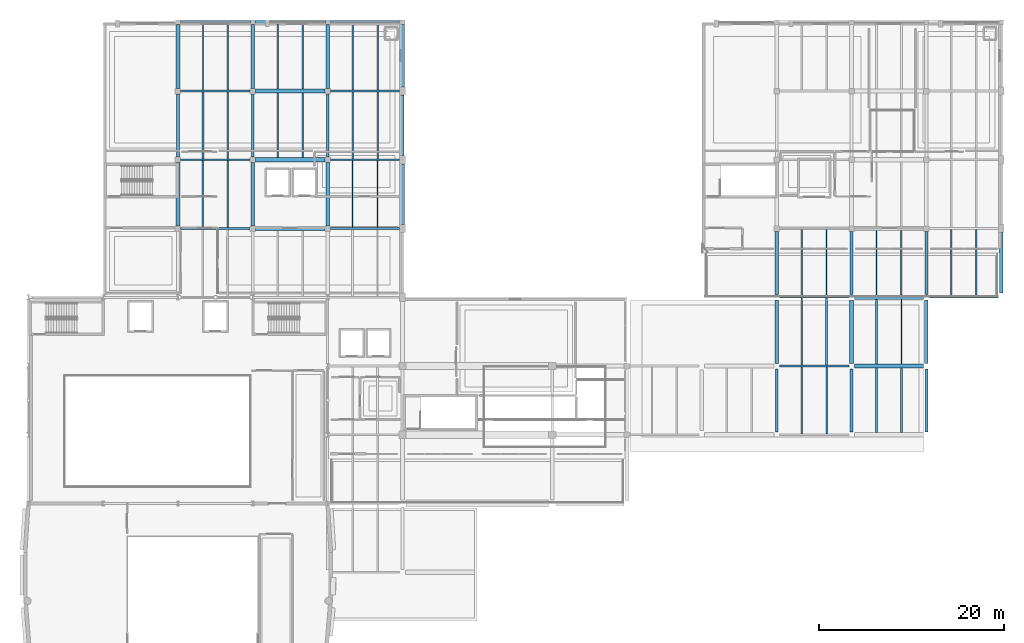
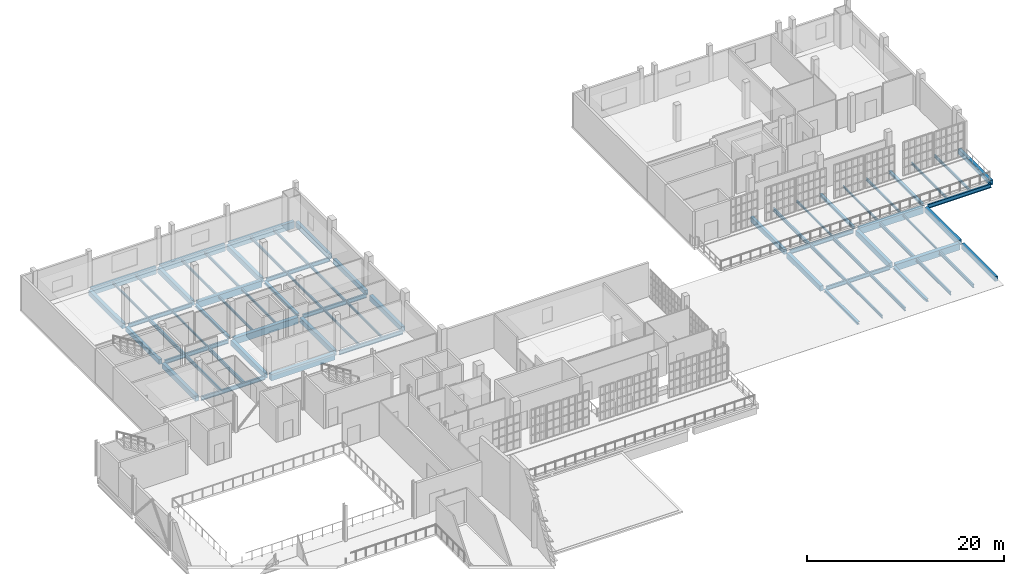
# One storey, part 19 of 56: 69 beams.
"""IFC4 building model written with IfcOpenShell, lengths in metres."""

from ifc_helpers import new_model, si_unit, direction, frame, origin, origin_2d, place, context, subcontext, project, spatial, rectangle, i_section, extrude, material, material_profile, profile_set, type_object, element, save


model = new_model("IFC4")

# Units and contexts
model_context = context("Model", 3, precision=1e-05, world=origin(), true_north=direction((0.0, 1.0)))
body_context = subcontext(model_context, "Body", "Model", "MODEL_VIEW")
ifc_project = project(units=[si_unit("LENGTHUNIT", "METRE"), si_unit("AREAUNIT", "SQUARE_METRE"), si_unit("VOLUMEUNIT", "CUBIC_METRE"), si_unit("PLANEANGLEUNIT", "RADIAN"), si_unit("MASSUNIT", "GRAM", prefix="KILO")], contexts=[model_context])

# Site, building, storey
site_placement = place(None, origin())
site = spatial("IfcSite", under=ifc_project, at=site_placement, CompositionType="ELEMENT")
building_placement = place(site_placement, origin())
building = spatial("IfcBuilding", under=site, at=building_placement, Name="Kaelora Sail Theatre", CompositionType="ELEMENT")
storey_placement = place(building_placement, frame((0.0, 0.0, 14.699951171875)))
storey = spatial("IfcBuildingStorey", under=building, at=storey_placement, Name="L03", CompositionType="ELEMENT", Elevation=14.699951171875)

# Beams
ifc_material_1 = material(Name="Steel S355", Category="steel")
ifc_material_profile_1 = material_profile(ifc_material_1, i_section(OverallWidth=0.300048828125, OverallDepth=0.31005859375, WebThickness=0.009033203125, FlangeThickness=0.015380859375, FilletRadius=0.027099609375, at=origin_2d()), Name="HEA 320")
ifc_profile_set_1 = profile_set([ifc_material_profile_1], Name="Steel S355")
beam_type_1 = type_object("IfcBeamType", Name="STR-BM-BM-HEA320", PredefinedType="BEAM", material=ifc_profile_set_1)
for number, where, z_axis, x_axis, name in (
    (1, (50.10009765625, 98.52001953125, -0.429931640625), (0.0, 1.0, 0.0), (-1.0, 0.0, 0.0), "Primary beam 7 N-O (L03)"),
    (2, (58.199951171875, 98.52001953125, -0.429931640625), (0.0, 1.0, 0.0), (-1.0, 0.0, 0.0), "Primary beam 8 N-O (L03)"),
    (3, (106.800048828125, 68.760009765625, -0.429931640625), (0.0, 1.0, 0.0), (-1.0, 0.0, 0.0), "Primary beam 14 J-K (L03)"),
    (4, (114.89990234375, 68.760009765625, -0.429931640625), (0.0, 1.0, 0.0), (-1.0, 0.0, 0.0), "Primary beam 15 J-K (L03)"),
    (5, (114.89990234375, 83.639892578125, -0.429931640625), (0.0, 1.0, 0.0), (-1.0, 0.0, 0.0), "Primary beam 15 L-M (L03)"),
    (6, (123.0, 83.639892578125, -0.429931640625), (0.0, 1.0, 0.0), (-1.0, 0.0, 0.0), "Primary beam 16 L-M (L03)"),
):
    element("IfcBeam", number, at=place(storey_placement, frame(where, z_axis=z_axis, x_axis=x_axis)), inside=storey, type_object=beam_type_1, Name=name, PredefinedType="BEAM", context=body_context, shape_type="SweptSolid", body=[
        extrude(i_section(OverallWidth=0.300048828125, OverallDepth=0.31005859375, WebThickness=0.009033203125, FlangeThickness=0.015380859375, FilletRadius=0.027099609375, at=origin_2d()), origin(), (0.0, 0.0, 1.0), 6.840087890625),
    ])
ifc_material_2 = material(Name="Steel S355", Category="steel")
ifc_material_profile_2 = material_profile(ifc_material_2, i_section(OverallWidth=0.18994140625, OverallDepth=0.449951171875, WebThickness=0.009521484375, FlangeThickness=0.0146484375, FilletRadius=0.02099609375, at=origin_2d()), Name="IPE 450")
ifc_profile_set_2 = profile_set([ifc_material_profile_2], Name="Steel S355")
beam_type_2 = type_object("IfcBeamType", Name="STR-BM-BM-IPE450", PredefinedType="BEAM", material=ifc_profile_set_2)
beam_1_placement = place(storey_placement, frame((47.39990234375, 90.8798828125, -0.5), z_axis=(0.0, 1.0, 0.0), x_axis=(-1.0, 0.0, 0.0)))
element("IfcBeam", 7, at=beam_1_placement, inside=storey, type_object=beam_type_2, Name="Secondary floor joist 6/M-2 (L03)", PredefinedType="BEAM", context=body_context, shape_type="SweptSolid", body=[
    extrude(i_section(OverallWidth=0.18994140625, OverallDepth=0.449951171875, WebThickness=0.009521484375, FlangeThickness=0.0146484375, FilletRadius=0.02099609375, at=origin_2d()), origin(), (0.0, 0.0, 1.0), 7.240234375),
])
for number, where, z_axis, x_axis, name in (
    (8, (44.699951171875, 98.320068359375, -0.5), (0.0, 1.0, 0.0), (-1.0, 0.0, 0.0), "Secondary floor joist 6/N-1 (L03)"),
    (9, (112.199951171875, 76.0, -0.5), (0.0, 1.0, 0.0), (-1.0, 0.0, 0.0), "Secondary floor joist 14/K-2 (L03)"),
    (10, (109.5, 83.43994140625, -0.5), (0.0, 1.0, 0.0), (-1.0, 0.0, 0.0), "Secondary floor joist 14/L-1 (L03)"),
):
    element("IfcBeam", number, at=place(storey_placement, frame(where, z_axis=z_axis, x_axis=x_axis)), inside=storey, type_object=beam_type_2, Name=name, PredefinedType="BEAM", context=body_context, shape_type="SweptSolid", body=[
        extrude(i_section(OverallWidth=0.18994140625, OverallDepth=0.449951171875, WebThickness=0.009521484375, FlangeThickness=0.0146484375, FilletRadius=0.02099609375, at=origin_2d()), origin(), (0.0, 0.0, 1.0), 7.239990234375),
    ])
for number, where, z_axis, x_axis, name in (
    (11, (120.300048828125, 68.68505859375, -0.5), (0.0, 1.0, 0.0), (-1.0, 0.0, 0.0), "Secondary floor joist 15/J-2 (L03)"),
    (12, (117.60009765625, 76.125, -0.5), (0.0, 1.0, 0.0), (-1.0, 0.0, 0.0), "Secondary floor joist 15/K-1 (L03)"),
):
    element("IfcBeam", number, at=place(storey_placement, frame(where, z_axis=z_axis, x_axis=x_axis)), inside=storey, type_object=beam_type_2, Name=name, PredefinedType="BEAM", context=body_context, shape_type="SweptSolid", body=[
        extrude(i_section(OverallWidth=0.18994140625, OverallDepth=0.449951171875, WebThickness=0.009521484375, FlangeThickness=0.0146484375, FilletRadius=0.02099609375, at=origin_2d()), origin(), (0.0, 0.0, 1.0), 6.989990234375),
    ])
ifc_material_3 = material(Name="Steel S355", Category="steel")
ifc_material_profile_3 = material_profile(ifc_material_3, i_section(OverallWidth=0.199951171875, OverallDepth=0.5, WebThickness=0.01025390625, FlangeThickness=0.01611328125, FilletRadius=0.02099609375, at=origin_2d()), Name="IPE 500")
ifc_profile_set_3 = profile_set([ifc_material_profile_3], Name="Steel S355")
beam_type_3 = type_object("IfcBeamType", Name="STR-BM-BM-IPE500", PredefinedType="BEAM", material=ifc_profile_set_3)
for number, where, z_axis, x_axis, name in (
    (13, (42.300048828125, 90.780029296875, -0.52490234375), (1.0, 0.0, 0.0), (0.0, 1.0, 0.0), "Primary beam M 6-7 (L03)"),
    (14, (42.300048828125, 98.219970703125, -0.52490234375), (1.0, 0.0, 0.0), (0.0, 1.0, 0.0), "Primary beam N 6-7 (L03)"),
    (15, (42.300048828125, 105.659912109375, -0.52490234375), (1.0, 0.0, 0.0), (0.0, 1.0, 0.0), "Primary beam O 6-7 (L03)"),
    (16, (58.5, 90.780029296875, -0.52490234375), (1.0, 0.0, 0.0), (0.0, 1.0, 0.0), "Primary beam M 8-9 (L03)"),
    (17, (58.5, 98.219970703125, -0.52490234375), (1.0, 0.0, 0.0), (0.0, 1.0, 0.0), "Primary beam N 8-9 (L03)"),
    (18, (58.5, 105.659912109375, -0.52490234375), (1.0, 0.0, 0.0), (0.0, 1.0, 0.0), "Primary beam O 8-9 (L03)"),
    (19, (107.10009765625, 75.89990234375, -0.52490234375), (1.0, 0.0, 0.0), (0.0, 1.0, 0.0), "Primary beam K 14-15 (L03)"),
    (20, (107.10009765625, 83.340087890625, -0.52490234375), (1.0, 0.0, 0.0), (0.0, 1.0, 0.0), "Primary beam L 14-15 (L03)"),
    (21, (123.300048828125, 83.340087890625, -0.52490234375), (1.0, 0.0, 0.0), (0.0, 1.0, 0.0), "Primary beam L 16-17 (L03)"),
):
    element("IfcBeam", number, at=place(storey_placement, frame(where, z_axis=z_axis, x_axis=x_axis)), inside=storey, type_object=beam_type_3, Name=name, PredefinedType="BEAM", context=body_context, shape_type="SweptSolid", body=[
        extrude(i_section(OverallWidth=0.199951171875, OverallDepth=0.5, WebThickness=0.01025390625, FlangeThickness=0.01611328125, FilletRadius=0.02099609375, at=origin_2d()), origin(), (0.0, 0.0, 1.0), 7.5),
    ])
ifc_material_4 = material(Name="Concrete C40/50", Category="concrete")
ifc_material_profile_4 = material_profile(ifc_material_4, rectangle(XDim=0.35009765625, YDim=0.60009765625, at=origin_2d()), Name="RC-BM 350x600")
ifc_profile_set_4 = profile_set([ifc_material_profile_4], Name="Concrete C40/50")
beam_type_4 = type_object("IfcBeamType", Name="STR-BM-BM-RC3560", PredefinedType="BEAM", material=ifc_profile_set_4)
beam_2_placement = place(storey_placement, frame((42.0, 98.52001953125, -0.574951171875), z_axis=(0.0, 1.0, 0.0), x_axis=(-1.0, 0.0, 0.0)))
element("IfcBeam", 22, at=beam_2_placement, inside=storey, type_object=beam_type_4, Name="Primary beam 6 N-O (L03)", PredefinedType="BEAM", context=body_context, shape_type="SweptSolid", body=[
    extrude(rectangle(XDim=0.35009765625, YDim=0.60009765625, at=origin_2d()), origin(), (0.0, 0.0, 1.0), 6.840087890625),
])
beam_3_placement = place(storey_placement, frame((66.300048828125, 98.669921875, -0.574951171875), z_axis=(0.0, 1.0, 0.0), x_axis=(-1.0, 0.0, 0.0)))
element("IfcBeam", 23, at=beam_3_placement, inside=storey, type_object=beam_type_4, Name="Primary beam 9 N-O (L03)", PredefinedType="BEAM", context=body_context, shape_type="SweptSolid", body=[
    extrude(rectangle(XDim=0.35009765625, YDim=0.60009765625, at=origin_2d()), origin(), (0.0, 0.0, 1.0), 6.5400390625),
])
for number, where, z_axis, x_axis, name in (
    (24, (106.800048828125, 83.639892578125, -0.574951171875), (0.0, 1.0, 0.0), (-1.0, 0.0, 0.0), "Primary beam 14 L-M (L03)"),
    (25, (123.0, 68.760009765625, -0.574951171875), (0.0, 1.0, 0.0), (-1.0, 0.0, 0.0), "Primary beam 16 J-K (L03)"),
):
    element("IfcBeam", number, at=place(storey_placement, frame(where, z_axis=z_axis, x_axis=x_axis)), inside=storey, type_object=beam_type_4, Name=name, PredefinedType="BEAM", context=body_context, shape_type="SweptSolid", body=[
        extrude(rectangle(XDim=0.35009765625, YDim=0.60009765625, at=origin_2d()), origin(), (0.0, 0.0, 1.0), 6.840087890625),
    ])
beam_4_placement = place(storey_placement, frame((131.10009765625, 83.7900390625, -0.574951171875), z_axis=(0.0, 1.0, 0.0), x_axis=(-1.0, 0.0, 0.0)))
element("IfcBeam", 26, at=beam_4_placement, inside=storey, type_object=beam_type_4, Name="Primary beam 17 L-M (L03)", PredefinedType="BEAM", context=body_context, shape_type="SweptSolid", body=[
    extrude(rectangle(XDim=0.35009765625, YDim=0.60009765625, at=origin_2d()), origin(), (0.0, 0.0, 1.0), 6.5400390625),
])
ifc_material_5 = material(Name="Concrete C40/50", Category="concrete")
ifc_material_profile_5 = material_profile(ifc_material_5, rectangle(XDim=0.39990234375, YDim=0.64990234375, at=origin_2d()), Name="RC-BM 400x650")
ifc_profile_set_5 = profile_set([ifc_material_profile_5], Name="Concrete C40/50")
beam_type_5 = type_object("IfcBeamType", Name="STR-BM-BM-RC4065", PredefinedType="BEAM", material=ifc_profile_set_5)
beam_5_placement = place(storey_placement, frame((42.0, 91.080078125, -0.599853515625), z_axis=(0.0, 1.0, 0.0), x_axis=(-1.0, 0.0, 0.0)))
element("IfcBeam", 27, at=beam_5_placement, inside=storey, type_object=beam_type_5, Name="Primary beam 6 M-N (L03)", PredefinedType="BEAM", context=body_context, shape_type="SweptSolid", body=[
    extrude(rectangle(XDim=0.39990234375, YDim=0.64990234375, at=origin_2d()), origin(), (0.0, 0.0, 1.0), 6.83984375),
])
beam_6_placement = place(storey_placement, frame((42.0, 105.9599609375, -0.599853515625), z_axis=(0.0, 1.0, 0.0), x_axis=(-1.0, 0.0, 0.0)))
element("IfcBeam", 28, at=beam_6_placement, inside=storey, type_object=beam_type_5, Name="Primary beam 6 O-P (L03)", PredefinedType="BEAM", context=body_context, shape_type="SweptSolid", body=[
    extrude(rectangle(XDim=0.39990234375, YDim=0.64990234375, at=origin_2d()), origin(), (0.0, 0.0, 1.0), 6.89013671875),
])
beam_7_placement = place(storey_placement, frame((50.10009765625, 91.080078125, -0.599853515625), z_axis=(0.0, 1.0, 0.0), x_axis=(-1.0, 0.0, 0.0)))
element("IfcBeam", 29, at=beam_7_placement, inside=storey, type_object=beam_type_5, Name="Primary beam 7 M-N (L03)", PredefinedType="BEAM", context=body_context, shape_type="SweptSolid", body=[
    extrude(rectangle(XDim=0.39990234375, YDim=0.64990234375, at=origin_2d()), origin(), (0.0, 0.0, 1.0), 6.83984375),
])
beam_8_placement = place(storey_placement, frame((50.10009765625, 105.9599609375, -0.599853515625), z_axis=(0.0, 1.0, 0.0), x_axis=(-1.0, 0.0, 0.0)))
element("IfcBeam", 30, at=beam_8_placement, inside=storey, type_object=beam_type_5, Name="Primary beam 7 O-P (L03)", PredefinedType="BEAM", context=body_context, shape_type="SweptSolid", body=[
    extrude(rectangle(XDim=0.39990234375, YDim=0.64990234375, at=origin_2d()), origin(), (0.0, 0.0, 1.0), 6.89013671875),
])
beam_9_placement = place(storey_placement, frame((58.199951171875, 91.080078125, -0.599853515625), z_axis=(0.0, 1.0, 0.0), x_axis=(-1.0, 0.0, 0.0)))
element("IfcBeam", 31, at=beam_9_placement, inside=storey, type_object=beam_type_5, Name="Primary beam 8 M-N (L03)", PredefinedType="BEAM", context=body_context, shape_type="SweptSolid", body=[
    extrude(rectangle(XDim=0.39990234375, YDim=0.64990234375, at=origin_2d()), origin(), (0.0, 0.0, 1.0), 6.83984375),
])
beam_10_placement = place(storey_placement, frame((58.199951171875, 105.9599609375, -0.599853515625), z_axis=(0.0, 1.0, 0.0), x_axis=(-1.0, 0.0, 0.0)))
element("IfcBeam", 32, at=beam_10_placement, inside=storey, type_object=beam_type_5, Name="Primary beam 8 O-P (L03)", PredefinedType="BEAM", context=body_context, shape_type="SweptSolid", body=[
    extrude(rectangle(XDim=0.39990234375, YDim=0.64990234375, at=origin_2d()), origin(), (0.0, 0.0, 1.0), 6.89013671875),
])
beam_11_placement = place(storey_placement, frame((66.300048828125, 91.22998046875, -0.599853515625), z_axis=(0.0, 1.0, 0.0), x_axis=(-1.0, 0.0, 0.0)))
element("IfcBeam", 33, at=beam_11_placement, inside=storey, type_object=beam_type_5, Name="Primary beam 9 M-N (L03)", PredefinedType="BEAM", context=body_context, shape_type="SweptSolid", body=[
    extrude(rectangle(XDim=0.39990234375, YDim=0.64990234375, at=origin_2d()), origin(), (0.0, 0.0, 1.0), 6.5400390625),
])
beam_12_placement = place(storey_placement, frame((66.300048828125, 106.110107421875, -0.599853515625), z_axis=(0.0, 1.0, 0.0), x_axis=(-1.0, 0.0, 0.0)))
element("IfcBeam", 34, at=beam_12_placement, inside=storey, type_object=beam_type_5, Name="Primary beam 9 O-P (L03)", PredefinedType="BEAM", context=body_context, shape_type="SweptSolid", body=[
    extrude(rectangle(XDim=0.39990234375, YDim=0.64990234375, at=origin_2d()), origin(), (0.0, 0.0, 1.0), 6.739990234375),
])
for number, where, z_axis, x_axis, name in (
    (35, (106.800048828125, 76.199951171875, -0.599853515625), (0.0, 1.0, 0.0), (-1.0, 0.0, 0.0), "Primary beam 14 K-L (L03)"),
    (36, (114.89990234375, 76.199951171875, -0.599853515625), (0.0, 1.0, 0.0), (-1.0, 0.0, 0.0), "Primary beam 15 K-L (L03)"),
    (37, (123.0, 76.199951171875, -0.599853515625), (0.0, 1.0, 0.0), (-1.0, 0.0, 0.0), "Primary beam 16 K-L (L03)"),
):
    element("IfcBeam", number, at=place(storey_placement, frame(where, z_axis=z_axis, x_axis=x_axis)), inside=storey, type_object=beam_type_5, Name=name, PredefinedType="BEAM", context=body_context, shape_type="SweptSolid", body=[
        extrude(rectangle(XDim=0.39990234375, YDim=0.64990234375, at=origin_2d()), origin(), (0.0, 0.0, 1.0), 6.840087890625),
    ])
ifc_material_6 = material(Name="Concrete C45/55", Category="concrete")
ifc_material_profile_6 = material_profile(ifc_material_6, rectangle(XDim=0.449951171875, YDim=0.800048828125, at=origin_2d()), Name="RC-BM 450x800")
ifc_profile_set_6 = profile_set([ifc_material_profile_6], Name="Concrete C45/55")
beam_type_6 = type_object("IfcBeamType", Name="STR-BM-BM-RC4580", PredefinedType="BEAM", material=ifc_profile_set_6)
for number, where, z_axis, x_axis, name in (
    (38, (50.39990234375, 90.780029296875, -0.675048828125), (1.0, 0.0, 0.0), (0.0, 1.0, 0.0), "Primary beam M 7-8 (L03)"),
    (39, (50.39990234375, 98.219970703125, -0.675048828125), (1.0, 0.0, 0.0), (0.0, 1.0, 0.0), "Primary beam N 7-8 (L03)"),
    (40, (50.39990234375, 105.659912109375, -0.675048828125), (1.0, 0.0, 0.0), (0.0, 1.0, 0.0), "Primary beam O 7-8 (L03)"),
    (41, (115.199951171875, 75.89990234375, -0.675048828125), (1.0, 0.0, 0.0), (0.0, 1.0, 0.0), "Primary beam K 15-16 (L03)"),
    (42, (115.199951171875, 83.340087890625, -0.675048828125), (1.0, 0.0, 0.0), (0.0, 1.0, 0.0), "Primary beam L 15-16 (L03)"),
):
    element("IfcBeam", number, at=place(storey_placement, frame(where, z_axis=z_axis, x_axis=x_axis)), inside=storey, type_object=beam_type_6, Name=name, PredefinedType="BEAM", context=body_context, shape_type="SweptSolid", body=[
        extrude(rectangle(XDim=0.449951171875, YDim=0.800048828125, at=origin_2d()), origin(), (0.0, 0.0, 1.0), 7.5),
    ])
ifc_material_7 = material(Name="Steel S355", Category="steel")
ifc_material_profile_7 = material_profile(ifc_material_7, i_section(OverallWidth=0.135009765625, OverallDepth=0.27001953125, WebThickness=0.006591796875, FlangeThickness=0.01025390625, FilletRadius=0.014892578125, at=origin_2d()), Name="IPE 270")
ifc_profile_set_7 = profile_set([ifc_material_profile_7], Name="Steel S355")
beam_type_7 = type_object("IfcBeamType", Name="STR-BM-JS-IPE270", PredefinedType="JOIST", material=ifc_profile_set_7)
beam_13_placement = place(storey_placement, frame((47.39990234375, 98.320068359375, -0.409912109375), z_axis=(0.0, 1.0, 0.0), x_axis=(-1.0, 0.0, 0.0)))
element("IfcBeam", 43, at=beam_13_placement, inside=storey, type_object=beam_type_7, Name="Secondary floor joist 6/N-2 (L03)", PredefinedType="JOIST", context=body_context, shape_type="SweptSolid", body=[
    extrude(i_section(OverallWidth=0.135009765625, OverallDepth=0.27001953125, WebThickness=0.006591796875, FlangeThickness=0.01025390625, FilletRadius=0.014892578125, at=origin_2d()), origin(), (0.0, 0.0, 1.0), 7.239990234375),
])
beam_14_placement = place(storey_placement, frame((44.699951171875, 105.760009765625, -0.409912109375), z_axis=(0.0, 1.0, 0.0), x_axis=(-1.0, 0.0, 0.0)))
element("IfcBeam", 44, at=beam_14_placement, inside=storey, type_object=beam_type_7, Name="Secondary floor joist 6/O-1 (L03)", PredefinedType="JOIST", context=body_context, shape_type="SweptSolid", body=[
    extrude(i_section(OverallWidth=0.135009765625, OverallDepth=0.27001953125, WebThickness=0.006591796875, FlangeThickness=0.01025390625, FilletRadius=0.014892578125, at=origin_2d()), origin(), (0.0, 0.0, 1.0), 7.139892578125),
])
beam_15_placement = place(storey_placement, frame((52.800048828125, 98.445068359375, -0.409912109375), z_axis=(0.0, 1.0, 0.0), x_axis=(-1.0, 0.0, 0.0)))
element("IfcBeam", 45, at=beam_15_placement, inside=storey, type_object=beam_type_7, Name="Secondary floor joist 7/N-1 (L03)", PredefinedType="JOIST", context=body_context, shape_type="SweptSolid", body=[
    extrude(i_section(OverallWidth=0.135009765625, OverallDepth=0.27001953125, WebThickness=0.006591796875, FlangeThickness=0.01025390625, FilletRadius=0.014892578125, at=origin_2d()), origin(), (0.0, 0.0, 1.0), 6.989990234375),
])
beam_16_placement = place(storey_placement, frame((60.89990234375, 90.8798828125, -0.409912109375), z_axis=(0.0, 1.0, 0.0), x_axis=(-1.0, 0.0, 0.0)))
element("IfcBeam", 46, at=beam_16_placement, inside=storey, type_object=beam_type_7, Name="Secondary floor joist 8/M-1 (L03)", PredefinedType="JOIST", context=body_context, shape_type="SweptSolid", body=[
    extrude(i_section(OverallWidth=0.135009765625, OverallDepth=0.27001953125, WebThickness=0.006591796875, FlangeThickness=0.01025390625, FilletRadius=0.014892578125, at=origin_2d()), origin(), (0.0, 0.0, 1.0), 7.240234375),
])
beam_17_placement = place(storey_placement, frame((112.199951171875, 83.43994140625, -0.409912109375), z_axis=(0.0, 1.0, 0.0), x_axis=(-1.0, 0.0, 0.0)))
element("IfcBeam", 47, at=beam_17_placement, inside=storey, type_object=beam_type_7, Name="Secondary floor joist 14/L-2 (L03)", PredefinedType="JOIST", context=body_context, shape_type="SweptSolid", body=[
    extrude(i_section(OverallWidth=0.135009765625, OverallDepth=0.27001953125, WebThickness=0.006591796875, FlangeThickness=0.01025390625, FilletRadius=0.014892578125, at=origin_2d()), origin(), (0.0, 0.0, 1.0), 7.239990234375),
])
for number, where, z_axis, x_axis, name in (
    (48, (120.300048828125, 76.125, -0.409912109375), (0.0, 1.0, 0.0), (-1.0, 0.0, 0.0), "Secondary floor joist 15/K-2 (L03)"),
    (49, (117.60009765625, 83.56494140625, -0.409912109375), (0.0, 1.0, 0.0), (-1.0, 0.0, 0.0), "Secondary floor joist 15/L-1 (L03)"),
):
    element("IfcBeam", number, at=place(storey_placement, frame(where, z_axis=z_axis, x_axis=x_axis)), inside=storey, type_object=beam_type_7, Name=name, PredefinedType="JOIST", context=body_context, shape_type="SweptSolid", body=[
        extrude(i_section(OverallWidth=0.135009765625, OverallDepth=0.27001953125, WebThickness=0.006591796875, FlangeThickness=0.01025390625, FilletRadius=0.014892578125, at=origin_2d()), origin(), (0.0, 0.0, 1.0), 6.989990234375),
    ])
ifc_material_8 = material(Name="Steel S355", Category="steel")
ifc_material_profile_8 = material_profile(ifc_material_8, i_section(OverallWidth=0.14990234375, OverallDepth=0.300048828125, WebThickness=0.007080078125, FlangeThickness=0.0107421875, FilletRadius=0.014892578125, at=origin_2d()), Name="IPE 300")
ifc_profile_set_8 = profile_set([ifc_material_profile_8], Name="Steel S355")
beam_type_8 = type_object("IfcBeamType", Name="STR-BM-JS-IPE300", PredefinedType="JOIST", material=ifc_profile_set_8)
beam_18_placement = place(storey_placement, frame((47.39990234375, 105.760009765625, -0.425048828125), z_axis=(0.0, 1.0, 0.0), x_axis=(-1.0, 0.0, 0.0)))
element("IfcBeam", 50, at=beam_18_placement, inside=storey, type_object=beam_type_8, Name="Secondary floor joist 6/O-2 (L03)", PredefinedType="JOIST", context=body_context, shape_type="SweptSolid", body=[
    extrude(i_section(OverallWidth=0.14990234375, OverallDepth=0.300048828125, WebThickness=0.007080078125, FlangeThickness=0.0107421875, FilletRadius=0.014892578125, at=origin_2d()), origin(), (0.0, 0.0, 1.0), 7.139892578125),
])
beam_19_placement = place(storey_placement, frame((55.5, 98.445068359375, -0.425048828125), z_axis=(0.0, 1.0, 0.0), x_axis=(-1.0, 0.0, 0.0)))
element("IfcBeam", 51, at=beam_19_placement, inside=storey, type_object=beam_type_8, Name="Secondary floor joist 7/N-2 (L03)", PredefinedType="JOIST", context=body_context, shape_type="SweptSolid", body=[
    extrude(i_section(OverallWidth=0.14990234375, OverallDepth=0.300048828125, WebThickness=0.007080078125, FlangeThickness=0.0107421875, FilletRadius=0.014892578125, at=origin_2d()), origin(), (0.0, 0.0, 1.0), 6.989990234375),
])
beam_20_placement = place(storey_placement, frame((52.800048828125, 105.885009765625, -0.425048828125), z_axis=(0.0, 1.0, 0.0), x_axis=(-1.0, 0.0, 0.0)))
element("IfcBeam", 52, at=beam_20_placement, inside=storey, type_object=beam_type_8, Name="Secondary floor joist 7/O-1 (L03)", PredefinedType="JOIST", context=body_context, shape_type="SweptSolid", body=[
    extrude(i_section(OverallWidth=0.14990234375, OverallDepth=0.300048828125, WebThickness=0.007080078125, FlangeThickness=0.0107421875, FilletRadius=0.014892578125, at=origin_2d()), origin(), (0.0, 0.0, 1.0), 7.014892578125),
])
beam_21_placement = place(storey_placement, frame((63.60009765625, 90.8798828125, -0.425048828125), z_axis=(0.0, 1.0, 0.0), x_axis=(-1.0, 0.0, 0.0)))
element("IfcBeam", 53, at=beam_21_placement, inside=storey, type_object=beam_type_8, Name="Secondary floor joist 8/M-2 (L03)", PredefinedType="JOIST", context=body_context, shape_type="SweptSolid", body=[
    extrude(i_section(OverallWidth=0.14990234375, OverallDepth=0.300048828125, WebThickness=0.007080078125, FlangeThickness=0.0107421875, FilletRadius=0.014892578125, at=origin_2d()), origin(), (0.0, 0.0, 1.0), 7.240234375),
])
beam_22_placement = place(storey_placement, frame((60.89990234375, 98.320068359375, -0.425048828125), z_axis=(0.0, 1.0, 0.0), x_axis=(-1.0, 0.0, 0.0)))
element("IfcBeam", 54, at=beam_22_placement, inside=storey, type_object=beam_type_8, Name="Secondary floor joist 8/N-1 (L03)", PredefinedType="JOIST", context=body_context, shape_type="SweptSolid", body=[
    extrude(i_section(OverallWidth=0.14990234375, OverallDepth=0.300048828125, WebThickness=0.007080078125, FlangeThickness=0.0107421875, FilletRadius=0.014892578125, at=origin_2d()), origin(), (0.0, 0.0, 1.0), 7.239990234375),
])
beam_23_placement = place(storey_placement, frame((120.300048828125, 83.56494140625, -0.425048828125), z_axis=(0.0, 1.0, 0.0), x_axis=(-1.0, 0.0, 0.0)))
element("IfcBeam", 55, at=beam_23_placement, inside=storey, type_object=beam_type_8, Name="Secondary floor joist 15/L-2 (L03)", PredefinedType="JOIST", context=body_context, shape_type="SweptSolid", body=[
    extrude(i_section(OverallWidth=0.14990234375, OverallDepth=0.300048828125, WebThickness=0.007080078125, FlangeThickness=0.0107421875, FilletRadius=0.014892578125, at=origin_2d()), origin(), (0.0, 0.0, 1.0), 6.989990234375),
])
beam_24_placement = place(storey_placement, frame((125.699951171875, 83.43994140625, -0.425048828125), z_axis=(0.0, 1.0, 0.0), x_axis=(-1.0, 0.0, 0.0)))
element("IfcBeam", 56, at=beam_24_placement, inside=storey, type_object=beam_type_8, Name="Secondary floor joist 16/L-1 (L03)", PredefinedType="JOIST", context=body_context, shape_type="SweptSolid", body=[
    extrude(i_section(OverallWidth=0.14990234375, OverallDepth=0.300048828125, WebThickness=0.007080078125, FlangeThickness=0.0107421875, FilletRadius=0.014892578125, at=origin_2d()), origin(), (0.0, 0.0, 1.0), 7.239990234375),
])
ifc_material_9 = material(Name="Steel S355", Category="steel")
ifc_material_profile_9 = material_profile(ifc_material_9, i_section(OverallWidth=0.159912109375, OverallDepth=0.330078125, WebThickness=0.007568359375, FlangeThickness=0.011474609375, FilletRadius=0.01806640625, at=origin_2d()), Name="IPE 330")
ifc_profile_set_9 = profile_set([ifc_material_profile_9], Name="Steel S355")
beam_type_9 = type_object("IfcBeamType", Name="STR-BM-JS-IPE330", PredefinedType="JOIST", material=ifc_profile_set_9)
beam_25_placement = place(storey_placement, frame((55.5, 105.885009765625, -0.43994140625), z_axis=(0.0, 1.0, 0.0), x_axis=(-1.0, 0.0, 0.0)))
element("IfcBeam", 57, at=beam_25_placement, inside=storey, type_object=beam_type_9, Name="Secondary floor joist 7/O-2 (L03)", PredefinedType="JOIST", context=body_context, shape_type="SweptSolid", body=[
    extrude(i_section(OverallWidth=0.159912109375, OverallDepth=0.330078125, WebThickness=0.007568359375, FlangeThickness=0.011474609375, FilletRadius=0.01806640625, at=origin_2d()), origin(), (0.0, 0.0, 1.0), 7.014892578125),
])
beam_26_placement = place(storey_placement, frame((63.60009765625, 98.320068359375, -0.43994140625), z_axis=(0.0, 1.0, 0.0), x_axis=(-1.0, 0.0, 0.0)))
element("IfcBeam", 58, at=beam_26_placement, inside=storey, type_object=beam_type_9, Name="Secondary floor joist 8/N-2 (L03)", PredefinedType="JOIST", context=body_context, shape_type="SweptSolid", body=[
    extrude(i_section(OverallWidth=0.159912109375, OverallDepth=0.330078125, WebThickness=0.007568359375, FlangeThickness=0.011474609375, FilletRadius=0.01806640625, at=origin_2d()), origin(), (0.0, 0.0, 1.0), 7.239990234375),
])
beam_27_placement = place(storey_placement, frame((60.89990234375, 105.760009765625, -0.43994140625), z_axis=(0.0, 1.0, 0.0), x_axis=(-1.0, 0.0, 0.0)))
element("IfcBeam", 59, at=beam_27_placement, inside=storey, type_object=beam_type_9, Name="Secondary floor joist 8/O-1 (L03)", PredefinedType="JOIST", context=body_context, shape_type="SweptSolid", body=[
    extrude(i_section(OverallWidth=0.159912109375, OverallDepth=0.330078125, WebThickness=0.007568359375, FlangeThickness=0.011474609375, FilletRadius=0.01806640625, at=origin_2d()), origin(), (0.0, 0.0, 1.0), 7.139892578125),
])
beam_28_placement = place(storey_placement, frame((128.39990234375, 83.43994140625, -0.43994140625), z_axis=(0.0, 1.0, 0.0), x_axis=(-1.0, 0.0, 0.0)))
element("IfcBeam", 60, at=beam_28_placement, inside=storey, type_object=beam_type_9, Name="Secondary floor joist 16/L-2 (L03)", PredefinedType="JOIST", context=body_context, shape_type="SweptSolid", body=[
    extrude(i_section(OverallWidth=0.159912109375, OverallDepth=0.330078125, WebThickness=0.007568359375, FlangeThickness=0.011474609375, FilletRadius=0.01806640625, at=origin_2d()), origin(), (0.0, 0.0, 1.0), 7.239990234375),
])
ifc_material_10 = material(Name="Steel S355", Category="steel")
ifc_material_profile_10 = material_profile(ifc_material_10, i_section(OverallWidth=0.169921875, OverallDepth=0.360107421875, WebThickness=0.008056640625, FlangeThickness=0.0126953125, FilletRadius=0.01806640625, at=origin_2d()), Name="IPE 360")
ifc_profile_set_10 = profile_set([ifc_material_profile_10], Name="Steel S355")
beam_type_10 = type_object("IfcBeamType", Name="STR-BM-JS-IPE360", PredefinedType="JOIST", material=ifc_profile_set_10)
beam_29_placement = place(storey_placement, frame((63.60009765625, 105.760009765625, -0.454833984375), z_axis=(0.0, 1.0, 0.0), x_axis=(-1.0, 0.0, 0.0)))
element("IfcBeam", 61, at=beam_29_placement, inside=storey, type_object=beam_type_10, Name="Secondary floor joist 8/O-2 (L03)", PredefinedType="JOIST", context=body_context, shape_type="SweptSolid", body=[
    extrude(i_section(OverallWidth=0.169921875, OverallDepth=0.360107421875, WebThickness=0.008056640625, FlangeThickness=0.0126953125, FilletRadius=0.01806640625, at=origin_2d()), origin(), (0.0, 0.0, 1.0), 7.139892578125),
])
beam_30_placement = place(storey_placement, frame((109.5, 68.56005859375, -0.454833984375), z_axis=(0.0, 1.0, 0.0), x_axis=(-1.0, 0.0, 0.0)))
element("IfcBeam", 62, at=beam_30_placement, inside=storey, type_object=beam_type_10, Name="Secondary floor joist 14/J-1 (L03)", PredefinedType="JOIST", context=body_context, shape_type="SweptSolid", body=[
    extrude(i_section(OverallWidth=0.169921875, OverallDepth=0.360107421875, WebThickness=0.008056640625, FlangeThickness=0.0126953125, FilletRadius=0.01806640625, at=origin_2d()), origin(), (0.0, 0.0, 1.0), 7.239990234375),
])
ifc_material_11 = material(Name="Steel S355", Category="steel")
ifc_material_profile_11 = material_profile(ifc_material_11, i_section(OverallWidth=0.179931640625, OverallDepth=0.39990234375, WebThickness=0.008544921875, FlangeThickness=0.013427734375, FilletRadius=0.02099609375, at=origin_2d()), Name="IPE 400")
ifc_profile_set_11 = profile_set([ifc_material_profile_11], Name="Steel S355")
beam_type_11 = type_object("IfcBeamType", Name="STR-BM-JS-IPE400", PredefinedType="JOIST", material=ifc_profile_set_11)
beam_31_placement = place(storey_placement, frame((44.699951171875, 90.8798828125, -0.474853515625), z_axis=(0.0, 1.0, 0.0), x_axis=(-1.0, 0.0, 0.0)))
element("IfcBeam", 63, at=beam_31_placement, inside=storey, type_object=beam_type_11, Name="Secondary floor joist 6/M-1 (L03)", PredefinedType="JOIST", context=body_context, shape_type="SweptSolid", body=[
    extrude(i_section(OverallWidth=0.179931640625, OverallDepth=0.39990234375, WebThickness=0.008544921875, FlangeThickness=0.013427734375, FilletRadius=0.02099609375, at=origin_2d()), origin(), (0.0, 0.0, 1.0), 7.240234375),
])
for number, where, z_axis, x_axis, name in (
    (64, (112.199951171875, 68.56005859375, -0.474853515625), (0.0, 1.0, 0.0), (-1.0, 0.0, 0.0), "Secondary floor joist 14/J-2 (L03)"),
    (65, (109.5, 76.0, -0.474853515625), (0.0, 1.0, 0.0), (-1.0, 0.0, 0.0), "Secondary floor joist 14/K-1 (L03)"),
):
    element("IfcBeam", number, at=place(storey_placement, frame(where, z_axis=z_axis, x_axis=x_axis)), inside=storey, type_object=beam_type_11, Name=name, PredefinedType="JOIST", context=body_context, shape_type="SweptSolid", body=[
        extrude(i_section(OverallWidth=0.179931640625, OverallDepth=0.39990234375, WebThickness=0.008544921875, FlangeThickness=0.013427734375, FilletRadius=0.02099609375, at=origin_2d()), origin(), (0.0, 0.0, 1.0), 7.239990234375),
    ])
beam_32_placement = place(storey_placement, frame((117.60009765625, 68.68505859375, -0.474853515625), z_axis=(0.0, 1.0, 0.0), x_axis=(-1.0, 0.0, 0.0)))
element("IfcBeam", 66, at=beam_32_placement, inside=storey, type_object=beam_type_11, Name="Secondary floor joist 15/J-1 (L03)", PredefinedType="JOIST", context=body_context, shape_type="SweptSolid", body=[
    extrude(i_section(OverallWidth=0.179931640625, OverallDepth=0.39990234375, WebThickness=0.008544921875, FlangeThickness=0.013427734375, FilletRadius=0.02099609375, at=origin_2d()), origin(), (0.0, 0.0, 1.0), 6.989990234375),
])
ifc_material_12 = material(Name="Concrete C45/55", Category="concrete")
ifc_material_profile_12 = material_profile(ifc_material_12, rectangle(XDim=0.39990234375, YDim=0.85009765625, at=origin_2d()), Name="RC-SPN 400x850")
ifc_profile_set_12 = profile_set([ifc_material_profile_12], Name="Concrete C45/55")
beam_type_12 = type_object("IfcBeamType", Name="STR-BM-SP-RC4085", PredefinedType="SPANDREL", material=ifc_profile_set_12)
beam_33_placement = place(storey_placement, frame((42.25, 113.10009765625, -0.699951171875), z_axis=(1.0, 0.0, 0.0), x_axis=(0.0, 1.0, 0.0)))
element("IfcBeam", 67, at=beam_33_placement, inside=storey, type_object=beam_type_12, Name="Primary beam P 6-7 (L03)", PredefinedType="SPANDREL", context=body_context, shape_type="SweptSolid", body=[
    extrude(rectangle(XDim=0.39990234375, YDim=0.85009765625, at=origin_2d()), origin(), (0.0, 0.0, 1.0), 7.60009765625),
])
beam_34_placement = place(storey_placement, frame((50.35009765625, 113.10009765625, -0.699951171875), z_axis=(1.0, 0.0, 0.0), x_axis=(0.0, 1.0, 0.0)))
element("IfcBeam", 68, at=beam_34_placement, inside=storey, type_object=beam_type_12, Name="Primary beam P 7-8 (L03)", PredefinedType="SPANDREL", context=body_context, shape_type="SweptSolid", body=[
    extrude(rectangle(XDim=0.39990234375, YDim=0.85009765625, at=origin_2d()), origin(), (0.0, 0.0, 1.0), 7.599853515625),
])
beam_35_placement = place(storey_placement, frame((58.449951171875, 113.10009765625, -0.699951171875), z_axis=(1.0, 0.0, 0.0), x_axis=(0.0, 1.0, 0.0)))
element("IfcBeam", 69, at=beam_35_placement, inside=storey, type_object=beam_type_12, Name="Primary beam P 8-9 (L03)", PredefinedType="SPANDREL", context=body_context, shape_type="SweptSolid", body=[
    extrude(rectangle(XDim=0.39990234375, YDim=0.85009765625, at=origin_2d()), origin(), (0.0, 0.0, 1.0), 7.60009765625),
])

save(model, "model.ifc")
